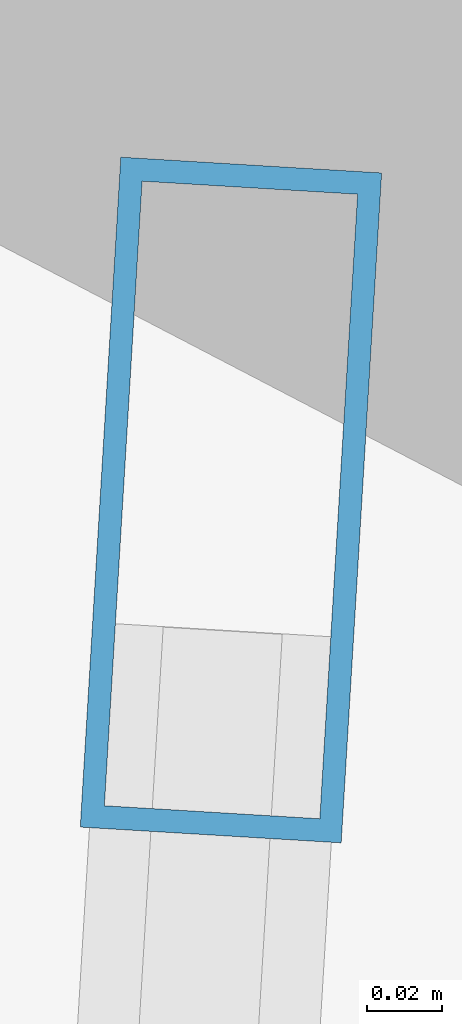
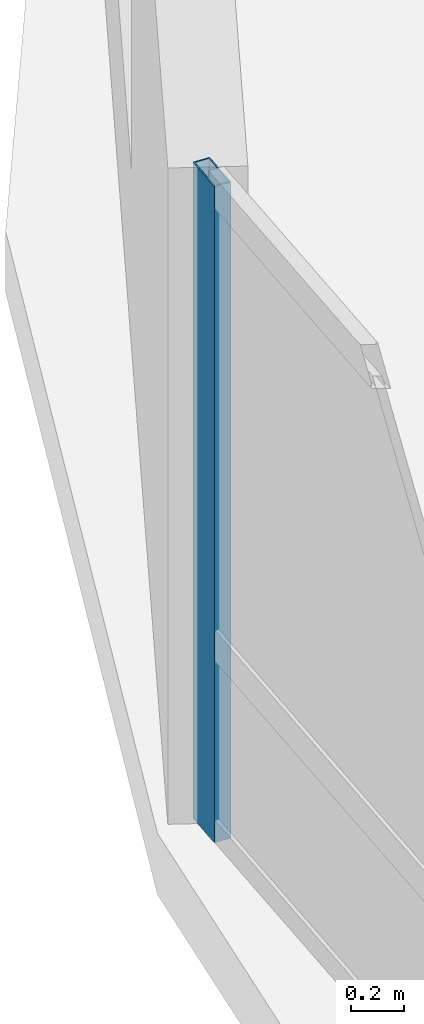
# One storey, part 6 of 17: 1 member, 1 element without a shape of its own.
"""IFC4 building model written with IfcOpenShell, lengths in metres."""

from ifc_helpers import new_model, si_unit, direction, frame, origin, origin_2d, place, context, subcontext, project, spatial, hollow_rectangle, extrude, material, layer, layer_set, material_profile, profile_set, type_object, element, aggregate, save


model = new_model("IFC4")

# Units and contexts
model_context = context("Model", 3, precision=1e-05, world=origin(), true_north=direction((0.0, 1.0)))
body_context = subcontext(model_context, "Body", "Model", "MODEL_VIEW")
ifc_project = project(units=[si_unit("LENGTHUNIT", "METRE"), si_unit("AREAUNIT", "SQUARE_METRE"), si_unit("VOLUMEUNIT", "CUBIC_METRE"), si_unit("PLANEANGLEUNIT", "RADIAN"), si_unit("MASSUNIT", "GRAM", prefix="KILO"), si_unit("THERMODYNAMICTEMPERATUREUNIT", "KELVIN"), si_unit("POWERUNIT", "WATT")], contexts=[model_context])

# Site, building, storey
site_placement = place(None, origin())
site = spatial("IfcSite", under=ifc_project, at=site_placement, CompositionType="ELEMENT")
building_placement = place(site_placement, origin())
building = spatial("IfcBuilding", under=site, at=building_placement, Name="Ocrelia Relay Tower", CompositionType="ELEMENT")
storey_placement = place(building_placement, frame((0.0, 0.0, 72.0)))
storey = spatial("IfcBuildingStorey", under=building, at=storey_placement, Name="L16", CompositionType="ELEMENT", Elevation=72.0)

# Curtain wall, member
ifc_material_1 = material(Name="Aluminium and solar-control low-E glass", Category="aluminium")
ifc_layer = layer(ifc_material_1, 0.179931640625, Name="Aluminium and solar-control low-E glass")
ifc_layer_set = layer_set([ifc_layer], Name="Aluminium and solar-control low-E glass")
curtain_wall_type = type_object("IfcCurtainWallType", Name="CW-SYS-Z1-DATA", PredefinedType="NOTDEFINED", material=ifc_layer_set)
curtain_wall_placement = place(storey_placement, origin())
curtain_wall = element("IfcCurtainWall", 1, at=curtain_wall_placement, inside=storey, type_object=curtain_wall_type, Name="L16 Elliptical Tower Curtain Wall Bay 09", PredefinedType="NOTDEFINED")
ifc_material_2 = material(Name="Anodised bronze aluminium", Category="aluminium")
ifc_material_profile = material_profile(ifc_material_2, hollow_rectangle(XDim=0.070068359375, YDim=0.179931640625, WallThickness=0.006103515625, at=origin_2d()), Name="CW-MUL-180x70")
ifc_profile_set = profile_set([ifc_material_profile], Name="Anodised bronze aluminium")
member_type = type_object("IfcMemberType", Name="CW-SYS-Z1-DATA-MUL", PredefinedType="MULLION", material=ifc_profile_set)
member_placement = place(storey_placement, frame((7.0302734375, 28.838623046875, 0.0), z_axis=(0.0, 0.0, 1.0), x_axis=(0.998177615517, -0.060344410517, 0.0)))
member = element("IfcMember", 2, at=member_placement, type_object=member_type, Name="CW-Z1 mullion 1", PredefinedType="MULLION", context=body_context, shape_type="SweptSolid", body=[
    extrude(hollow_rectangle(XDim=0.070068359375, YDim=0.179931640625, WallThickness=0.006103515625, at=origin_2d()), origin(), (0.0, 0.0, 1.0), 3.0),
])
aggregate(curtain_wall, [member])

save(model, "model.ifc")
